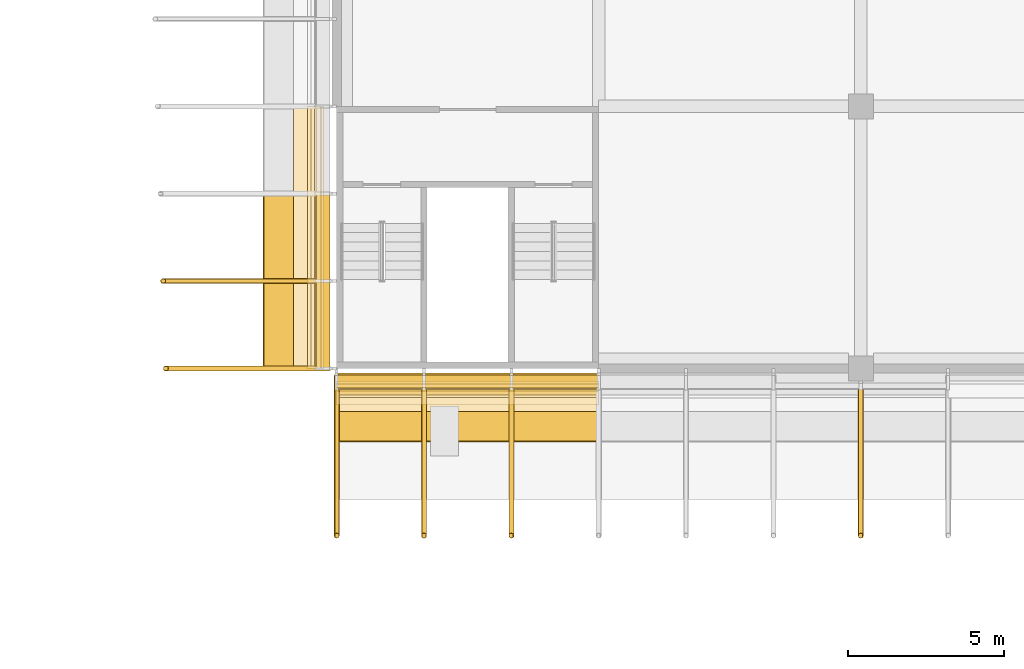
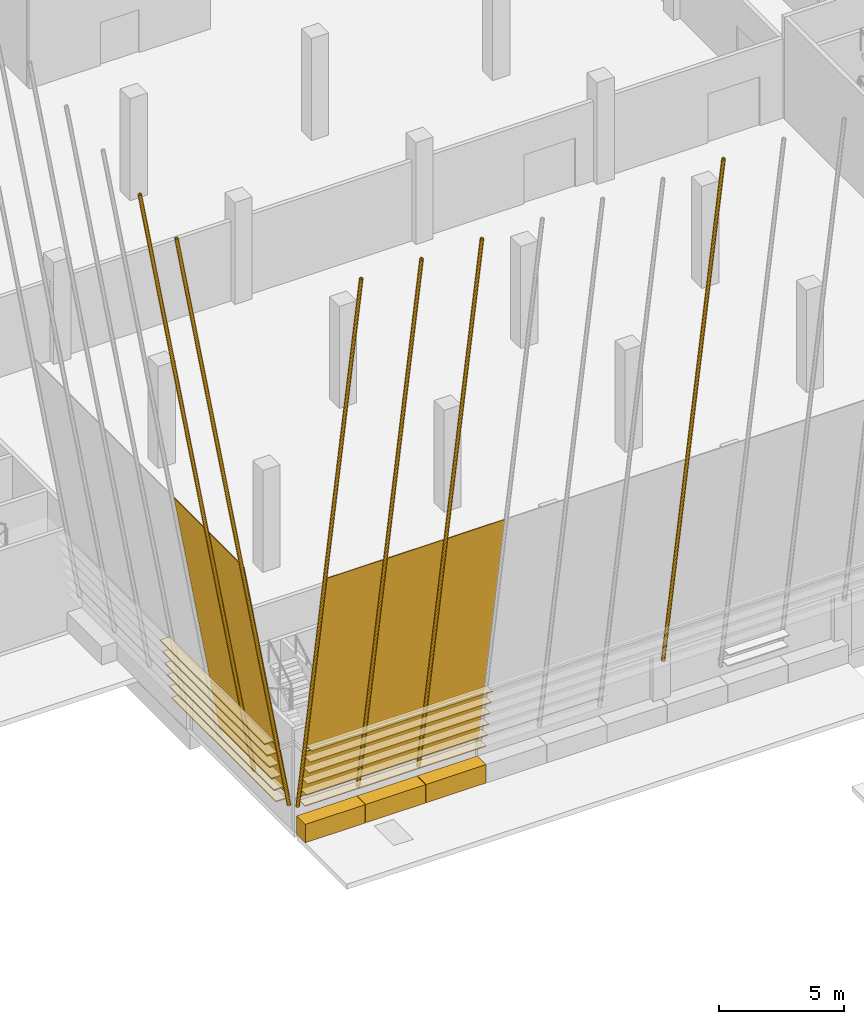
# One storey, part 76 of 101: 25 coverings, 6 shading devices.
"""IFC4 building model written with IfcOpenShell, lengths in metres."""

from ifc_helpers import new_model, si_unit, direction, frame, origin, origin_2d, place, context, subcontext, project, spatial, polyline, rectangle, hollow_circle, outline, extrude, material, layer, layer_set, material_profile, profile_set, type_object, element, save


model = new_model("IFC4")

# Units and contexts
model_context = context("Model", 3, precision=1e-05, world=origin(), true_north=direction((0.0, 1.0)))
body_context = subcontext(model_context, "Body", "Model", "MODEL_VIEW")
ifc_project = project(units=[si_unit("LENGTHUNIT", "METRE"), si_unit("AREAUNIT", "SQUARE_METRE"), si_unit("VOLUMEUNIT", "CUBIC_METRE"), si_unit("PLANEANGLEUNIT", "RADIAN"), si_unit("MASSUNIT", "GRAM", prefix="KILO")], contexts=[model_context])

# Site, building, storey
site_placement = place(None, origin())
site = spatial("IfcSite", under=ifc_project, at=site_placement, CompositionType="ELEMENT")
building_placement = place(site_placement, origin())
building = spatial("IfcBuilding", under=site, at=building_placement, Name="Almond Square Museum", CompositionType="ELEMENT")
storey_placement = place(building_placement, frame((0.0, 0.0, 5.5)))
storey = spatial("IfcBuildingStorey", under=building, at=storey_placement, Name="L01", CompositionType="ELEMENT", Elevation=5.5)

# Coverings
ifc_material_1 = material(Name="Cedar timber louvre board", Category="wood")
ifc_material_profile_1 = material_profile(ifc_material_1, rectangle(XDim=0.449951171875, YDim=0.050048828125, at=origin_2d()))
ifc_profile_set_1 = profile_set([ifc_material_profile_1], Name="Cedar timber louvre board")
covering_type_1 = type_object("IfcCoveringType", Name="Louvre board 450 x 50", PredefinedType="CLADDING", material=ifc_profile_set_1)
for number, where, z_axis, x_axis, name in (
    (1, (106.800048828125, 49.776123046875, 1.800048828125), (1.0, 0.0, 0.0), (0.0, 1.0, 0.0), "Louvre board S01.01"),
    (2, (106.800048828125, 49.67041015625, 2.39990234375), (1.0, 0.0, 0.0), (0.0, 1.0, 0.0), "Louvre board S02.01"),
    (3, (106.800048828125, 49.564453125, 3.0), (1.0, 0.0, 0.0), (0.0, 1.0, 0.0), "Louvre board S03.01"),
    (4, (106.800048828125, 49.458740234375, 3.60009765625), (1.0, 0.0, 0.0), (0.0, 1.0, 0.0), "Louvre board S04.01"),
    (5, (106.800048828125, 49.35302734375, 4.199951171875), (1.0, 0.0, 0.0), (0.0, 1.0, 0.0), "Louvre board S05.01"),
    (6, (106.800048828125, 49.2470703125, 4.800048828125), (1.0, 0.0, 0.0), (0.0, 1.0, 0.0), "Louvre board S06.01"),
):
    element("IfcCovering", number, at=place(storey_placement, frame(where, z_axis=z_axis, x_axis=x_axis)), inside=storey, type_object=covering_type_1, Name=name, PredefinedType="CLADDING", context=body_context, shape_type="SweptSolid", body=[
        extrude(rectangle(XDim=0.449951171875, YDim=0.050048828125, at=origin_2d()), origin(), (0.0, 0.0, 1.0), 8.39990234375),
    ])
for number, where, z_axis, x_axis, name in (
    (7, (106.17626953125, 50.39990234375, 1.800048828125), (0.0, 1.0, 0.0), (-1.0, 0.0, 0.0), "Louvre board W01.01"),
    (8, (106.0703125, 50.39990234375, 2.39990234375), (0.0, 1.0, 0.0), (-1.0, 0.0, 0.0), "Louvre board W02.01"),
    (9, (105.964599609375, 50.39990234375, 3.0), (0.0, 1.0, 0.0), (-1.0, 0.0, 0.0), "Louvre board W03.01"),
    (10, (105.85888671875, 50.39990234375, 3.60009765625), (0.0, 1.0, 0.0), (-1.0, 0.0, 0.0), "Louvre board W04.01"),
    (11, (105.7529296875, 50.39990234375, 4.199951171875), (0.0, 1.0, 0.0), (-1.0, 0.0, 0.0), "Louvre board W05.01"),
    (12, (105.647216796875, 50.39990234375, 4.800048828125), (0.0, 1.0, 0.0), (-1.0, 0.0, 0.0), "Louvre board W06.01"),
):
    element("IfcCovering", number, at=place(storey_placement, frame(where, z_axis=z_axis, x_axis=x_axis)), inside=storey, type_object=covering_type_1, Name=name, PredefinedType="CLADDING", context=body_context, shape_type="SweptSolid", body=[
        extrude(rectangle(XDim=0.449951171875, YDim=0.050048828125, at=origin_2d()), origin(), (0.0, 0.0, 1.0), 8.400146484375),
    ])

# Shading devices
ifc_material_2 = material(Name="Structural steel S355", Category="steel")
ifc_material_profile_2 = material_profile(ifc_material_2, hollow_circle(Radius=0.084228515625, WallThickness=0.008056640625, at=origin_2d()))
ifc_profile_set_2 = profile_set([ifc_material_profile_2], Name="Structural steel S355")
shading_device_type = type_object("IfcShadingDeviceType", Name="Louvre post CHS 168.3 x 8", PredefinedType="USERDEFINED", material=ifc_profile_set_2)
for number, where, z_axis, x_axis, name in (
    (13, (106.800048828125, 50.14453125, 1.44873046875), (0.0, -0.173651732188, 0.984807126248), (1.0, 0.0, 0.0), "Louvre post S01"),
    (14, (109.60009765625, 50.14453125, 1.44873046875), (0.0, -0.173651732188, 0.984807126248), (1.0, 0.0, 0.0), "Louvre post S02"),
    (15, (112.39990234375, 50.14453125, 1.44873046875), (0.0, -0.173651732188, 0.984807126248), (1.0, 0.0, 0.0), "Louvre post S03"),
):
    element("IfcShadingDevice", number, at=place(storey_placement, frame(where, z_axis=z_axis, x_axis=x_axis)), inside=storey, type_object=shading_device_type, Name=name, ObjectType="POST", PredefinedType="USERDEFINED", context=body_context, shape_type="SweptSolid", body=[
        extrude(hollow_circle(Radius=0.084228515625, WallThickness=0.008056640625, at=origin_2d()), origin(), (0.0, 0.0, 1.0), 29.397705078125),
    ])
shading_device_1_placement = place(storey_placement, frame((123.60009765625, 49.89453125, 2.866455078125), z_axis=(0.0, -0.173651328963, 0.984807197348), x_axis=(1.0, 0.0, 0.0)))
element("IfcShadingDevice", 16, at=shading_device_1_placement, inside=storey, type_object=shading_device_type, Name="Louvre post S07", ObjectType="POST", PredefinedType="USERDEFINED", context=body_context, shape_type="SweptSolid", body=[
    extrude(hollow_circle(Radius=0.084228515625, WallThickness=0.008056640625, at=origin_2d()), origin(), (0.0, 0.0, 1.0), 27.958251953125),
])
shading_device_2_placement = place(storey_placement, frame((106.54443359375, 50.39990234375, 1.44873046875), z_axis=(-0.173647252623, 0.0, 0.984807916122), x_axis=(0.0, -1.0, 0.0)))
element("IfcShadingDevice", 17, at=shading_device_2_placement, inside=storey, type_object=shading_device_type, Name="Louvre post W01", ObjectType="POST", PredefinedType="USERDEFINED", context=body_context, shape_type="SweptSolid", body=[
    extrude(hollow_circle(Radius=0.084228515625, WallThickness=0.008056640625, at=origin_2d()), origin(), (0.0, 0.0, 1.0), 30.057861328125),
])
shading_device_3_placement = place(storey_placement, frame((106.54443359375, 53.199951171875, 1.44873046875), z_axis=(-0.173641750831, 0.0, 0.984808886215), x_axis=(0.0, -1.0, 0.0)))
element("IfcShadingDevice", 18, at=shading_device_3_placement, inside=storey, type_object=shading_device_type, Name="Louvre post W02", ObjectType="POST", PredefinedType="USERDEFINED", context=body_context, shape_type="SweptSolid", body=[
    extrude(hollow_circle(Radius=0.084228515625, WallThickness=0.008056640625, at=origin_2d()), origin(), (0.0, 0.0, 1.0), 30.55517578125),
])

# Coverings
ifc_material_3 = material(Name="Cedar timber sheathing panel", Category="wood")
ifc_layer_1 = layer(ifc_material_3, 0.030029296875)
ifc_layer_set_1 = layer_set([ifc_layer_1], Name="Cedar timber sheathing panel")
covering_type_2 = type_object("IfcCoveringType", Name="Louvre rain-screen backing panel 30", PredefinedType="CLADDING", material=ifc_layer_set_1)
covering_1_placement = place(storey_placement, frame((106.800048828125, 50.172607421875, 1.8486328125), z_axis=(0.0, -0.984810858511, -0.173630564586), x_axis=(1.0, 0.0, 0.0)))
element("IfcCovering", 19, at=covering_1_placement, inside=storey, type_object=covering_type_2, Name="Louvre rain-screen backing panel S01.03", PredefinedType="CLADDING", context=body_context, shape_type="SweptSolid", body=[
    extrude(outline(polyline([(0.0, 0.0), (2.800048828125, 0.0), (2.800048828125, 2.519717660558068), (0.0, 2.519717660558068), (0.0, 0.0)])), frame((0.0, 0.0, -0.01513671875)), (0.0, 0.0, 1.0), 0.030029296875),
])
covering_2_placement = place(storey_placement, frame((106.800048828125, 49.71044921875, 4.469970703125), z_axis=(0.0, -0.98480863204, -0.173643192378), x_axis=(1.0, 0.0, 0.0)))
element("IfcCovering", 20, at=covering_2_placement, inside=storey, type_object=covering_type_2, Name="Louvre rain-screen backing panel S01.04", PredefinedType="CLADDING", context=body_context, shape_type="SweptSolid", body=[
    extrude(outline(polyline([(0.0, 0.0), (2.800048828125, 0.0), (2.800048828125, 9.504493682681225), (0.0, 9.504493682681225), (0.0, 0.0)])), frame((0.0, 0.0, -0.01513671875)), (0.0, 0.0, 1.0), 0.030029296875),
])
covering_3_placement = place(storey_placement, frame((109.60009765625, 50.172607421875, 1.8486328125), z_axis=(0.0, -0.984810858511, -0.173630564586), x_axis=(1.0, 0.0, 0.0)))
element("IfcCovering", 21, at=covering_3_placement, inside=storey, type_object=covering_type_2, Name="Louvre rain-screen backing panel S02.03", PredefinedType="CLADDING", context=body_context, shape_type="SweptSolid", body=[
    extrude(outline(polyline([(0.0, 0.0), (2.7998046875, 0.0), (2.7998046875, 2.519717660558068), (0.0, 2.519717660558068), (0.0, 0.0)])), frame((0.0, 0.0, -0.01513671875)), (0.0, 0.0, 1.0), 0.030029296875),
])
covering_4_placement = place(storey_placement, frame((109.60009765625, 49.71044921875, 4.469970703125), z_axis=(0.0, -0.98480863204, -0.173643192378), x_axis=(1.0, 0.0, 0.0)))
element("IfcCovering", 22, at=covering_4_placement, inside=storey, type_object=covering_type_2, Name="Louvre rain-screen backing panel S02.04", PredefinedType="CLADDING", context=body_context, shape_type="SweptSolid", body=[
    extrude(outline(polyline([(0.0, 0.0), (2.7998046875, 0.0), (2.7998046875, 9.504493682681227), (0.0, 9.504493682681227), (0.0, 0.0)])), frame((0.0, 0.0, -0.01513671875)), (0.0, 0.0, 1.0), 0.030029296875),
])
covering_5_placement = place(storey_placement, frame((112.39990234375, 50.172607421875, 1.8486328125), z_axis=(0.0, -0.984810858511, -0.173630564586), x_axis=(1.0, 0.0, 0.0)))
element("IfcCovering", 23, at=covering_5_placement, inside=storey, type_object=covering_type_2, Name="Louvre rain-screen backing panel S03.03", PredefinedType="CLADDING", context=body_context, shape_type="SweptSolid", body=[
    extrude(outline(polyline([(0.0, 0.0), (2.800048828125, 0.0), (2.800048828125, 2.519717660558068), (0.0, 2.519717660558068), (0.0, 0.0)])), frame((0.0, 0.0, -0.01513671875)), (0.0, 0.0, 1.0), 0.030029296875),
])
covering_6_placement = place(storey_placement, frame((112.39990234375, 49.71044921875, 4.469970703125), z_axis=(0.0, -0.98480863204, -0.173643192378), x_axis=(1.0, 0.0, 0.0)))
element("IfcCovering", 24, at=covering_6_placement, inside=storey, type_object=covering_type_2, Name="Louvre rain-screen backing panel S03.04", PredefinedType="CLADDING", context=body_context, shape_type="SweptSolid", body=[
    extrude(outline(polyline([(0.0, 0.0), (2.800048828125, 0.0), (2.800048828125, 9.504493682681225), (0.0, 9.504493682681225), (0.0, 0.0)])), frame((0.0, 0.0, -0.01513671875)), (0.0, 0.0, 1.0), 0.030029296875),
])
covering_7_placement = place(storey_placement, frame((106.57275390625, 50.39990234375, 1.8486328125), z_axis=(0.984810858511, 0.0, 0.173630564586), x_axis=(0.0, 1.0, 0.0)))
element("IfcCovering", 25, at=covering_7_placement, inside=storey, type_object=covering_type_2, Name="Louvre rain-screen backing panel W01.03", PredefinedType="CLADDING", context=body_context, shape_type="SweptSolid", body=[
    extrude(outline(polyline([(0.0, 0.0), (2.800048828125, 0.0), (2.800048828125, 2.519717660558068), (0.0, 2.519717660558068), (0.0, 0.0)])), frame((0.0, 0.0, -0.01513671875)), (0.0, 0.0, 1.0), 0.030029296875),
])
covering_8_placement = place(storey_placement, frame((106.110595703125, 50.39990234375, 4.469970703125), z_axis=(0.98480863204, 0.0, 0.173643192378), x_axis=(0.0, 1.0, 0.0)))
element("IfcCovering", 26, at=covering_8_placement, inside=storey, type_object=covering_type_2, Name="Louvre rain-screen backing panel W01.04", PredefinedType="CLADDING", context=body_context, shape_type="SweptSolid", body=[
    extrude(outline(polyline([(0.0, 0.0), (2.800048828125, 0.0), (2.800048828125, 9.504493682681225), (0.0, 9.504493682681225), (0.0, 0.0)])), frame((0.0, 0.0, -0.01513671875)), (0.0, 0.0, 1.0), 0.030029296875),
])
covering_9_placement = place(storey_placement, frame((106.57275390625, 53.199951171875, 1.8486328125), z_axis=(0.984810858511, 0.0, 0.173630564586), x_axis=(0.0, 1.0, 0.0)))
element("IfcCovering", 27, at=covering_9_placement, inside=storey, type_object=covering_type_2, Name="Louvre rain-screen backing panel W02.03", PredefinedType="CLADDING", context=body_context, shape_type="SweptSolid", body=[
    extrude(outline(polyline([(0.0, 0.0), (2.800048828125, 0.0), (2.800048828125, 2.519717660558068), (0.0, 2.519717660558068), (0.0, 0.0)])), frame((0.0, 0.0, -0.01513671875)), (0.0, 0.0, 1.0), 0.030029296875),
])
covering_10_placement = place(storey_placement, frame((106.110595703125, 53.199951171875, 4.469970703125), z_axis=(0.98480863204, 0.0, 0.173643192378), x_axis=(0.0, 1.0, 0.0)))
element("IfcCovering", 28, at=covering_10_placement, inside=storey, type_object=covering_type_2, Name="Louvre rain-screen backing panel W02.04", PredefinedType="CLADDING", context=body_context, shape_type="SweptSolid", body=[
    extrude(outline(polyline([(0.0, 0.0), (2.800048828125, 0.0), (2.800048828125, 9.504493682681225), (0.0, 9.504493682681225), (0.0, 0.0)])), frame((0.0, 0.0, -0.01513671875)), (0.0, 0.0, 1.0), 0.030029296875),
])
ifc_material_4 = material(Name="Timber plinth, cedar", Category="wood")
ifc_layer_2 = layer(ifc_material_4, 0.699951171875)
ifc_layer_set_2 = layer_set([ifc_layer_2], Name="Timber plinth, cedar")
covering_type_3 = type_object("IfcCoveringType", Name="Louvre skin plinth, timber 700 x 900", PredefinedType="CLADDING", material=ifc_layer_set_2)
for number, where, z_axis, x_axis, name in (
    (29, (108.199951171875, 49.89990234375, 0.0), (0.0, 0.0, 1.0), (1.0, 0.0, 0.0), "Louvre skin plinth S01"),
    (30, (111.0, 49.89990234375, 0.0), (0.0, 0.0, 1.0), (1.0, 0.0, 0.0), "Louvre skin plinth S02"),
    (31, (113.800048828125, 49.89990234375, 0.0), (0.0, 0.0, 1.0), (1.0, 0.0, 0.0), "Louvre skin plinth S03"),
):
    element("IfcCovering", number, at=place(storey_placement, frame(where, z_axis=z_axis, x_axis=x_axis)), inside=storey, type_object=covering_type_3, Name=name, PredefinedType="CLADDING", context=body_context, shape_type="SweptSolid", body=[
        extrude(rectangle(XDim=2.780029296875, YDim=0.699951171875, at=origin_2d()), origin(), (0.0, 0.0, 1.0), 0.89990234375),
    ])

save(model, "model.ifc")
